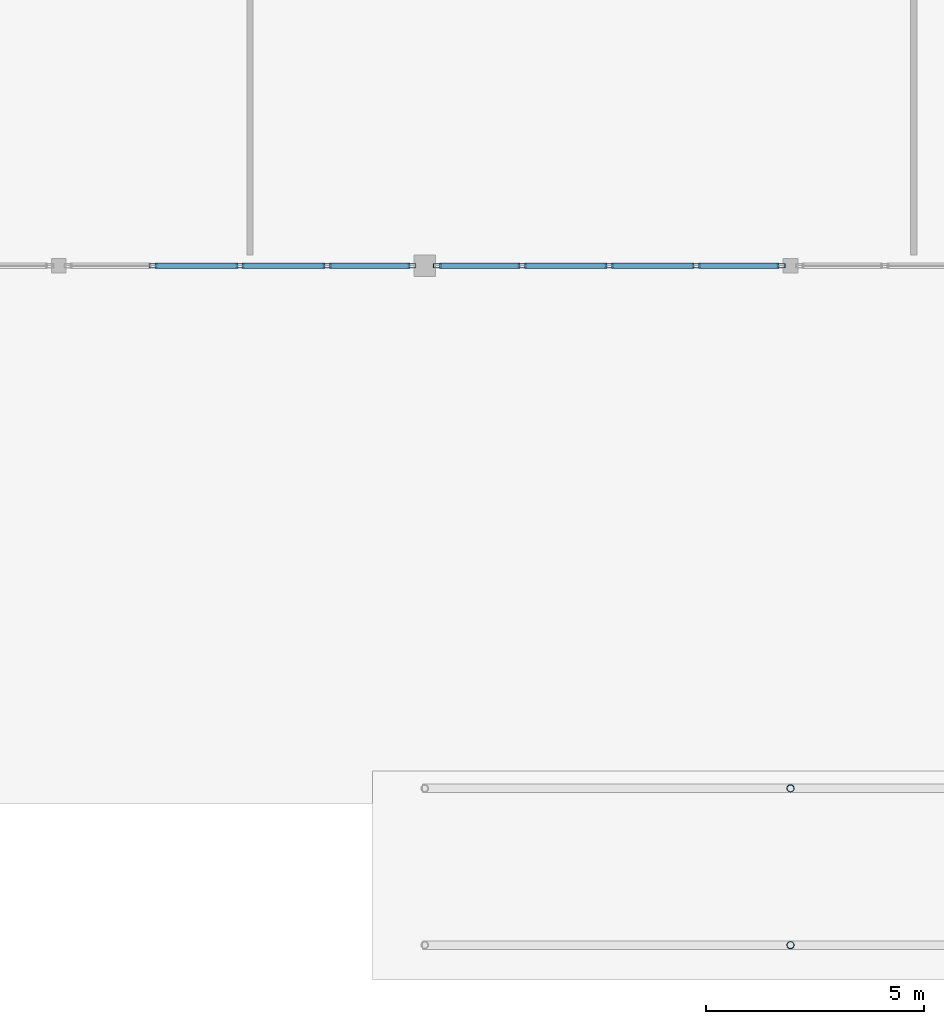
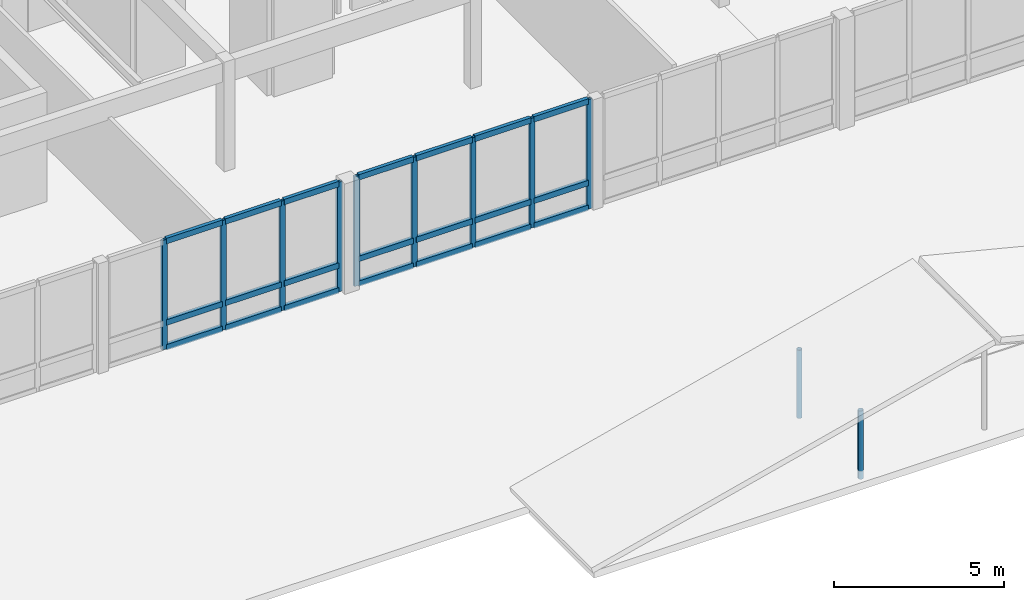
# One storey, part 40 of 217: 32 members, 2 elements without a shape of their own.
"""IFC4 building model written with IfcOpenShell, lengths in metres."""

from ifc_helpers import new_model, si_unit, direction, frame, origin, origin_2d, place, context, subcontext, project, spatial, hollow_rectangle, hollow_circle, extrude, material, layer, layer_set, material_profile, profile_set, type_object, element, aggregate, save


model = new_model("IFC4")

# Units and contexts
model_context = context("Model", 3, precision=1e-05, world=origin(), true_north=direction((0.0, 1.0)))
body_context = subcontext(model_context, "Body", "Model", "MODEL_VIEW")
ifc_project = project(units=[si_unit("LENGTHUNIT", "METRE"), si_unit("AREAUNIT", "SQUARE_METRE"), si_unit("VOLUMEUNIT", "CUBIC_METRE"), si_unit("PLANEANGLEUNIT", "RADIAN"), si_unit("MASSUNIT", "GRAM", prefix="KILO")], contexts=[model_context])

# Site, building, storey
site_placement = place(None, origin())
site = spatial("IfcSite", under=ifc_project, at=site_placement, CompositionType="ELEMENT")
building_placement = place(site_placement, origin())
building = spatial("IfcBuilding", under=site, at=building_placement, Name="Mazaris Harbour Polytechnic", CompositionType="ELEMENT")
storey_placement = place(building_placement, frame((0.0, 0.0, 9.60009765625)))
storey = spatial("IfcBuildingStorey", under=building, at=storey_placement, Name="L02", CompositionType="ELEMENT", Elevation=9.60009765625)

# Curtain wall, members
ifc_material_1 = material(Name="Anodised Bronze Aluminium and Low-E Glass", Category="aluminium")
ifc_layer = layer(ifc_material_1, 0.179931640625, Name="Anodised Bronze Aluminium and Low-E Glass")
ifc_layer_set = layer_set([ifc_layer], Name="Anodised Bronze Aluminium and Low-E Glass")
curtain_wall_type = type_object("IfcCurtainWallType", Name="Harbour Colonnade Curtain Wall", PredefinedType="NOTDEFINED", material=ifc_layer_set)
curtain_wall_1_placement = place(storey_placement, origin())
curtain_wall_1 = element("IfcCurtainWall", 1, at=curtain_wall_1_placement, inside=storey, type_object=curtain_wall_type, Name="V3 L02 Curtain Wall 80", PredefinedType="NOTDEFINED")
ifc_material_2 = material(Name="Anodised Bronze Steel S355", Category="steel")
ifc_material_profile_1 = material_profile(ifc_material_2, hollow_rectangle(XDim=0.10009765625, YDim=0.179931640625, WallThickness=0.008056640625, at=origin_2d()), Name="RHS 100x180x8.0")
ifc_profile_set_1 = profile_set([ifc_material_profile_1], Name="Anodised Bronze Steel S355")
member_type_1 = type_object("IfcMemberType", Name="Curtain Mullion RHS100x180", PredefinedType="MULLION", material=ifc_profile_set_1)
member_1_placement = place(storey_placement, frame((70.508056640625, 14.39990234375, 0.0), z_axis=(0.0, 0.0, 1.0), x_axis=(0.0, -1.0, 0.0)))
member_1 = element("IfcMember", 2, at=member_1_placement, type_object=member_type_1, Name="CW-01 mullion 1", PredefinedType="MULLION", context=body_context, shape_type="SweptSolid", body=[
    extrude(hollow_rectangle(XDim=0.10009765625, YDim=0.179931640625, WallThickness=0.008056640625, at=origin_2d()), origin(), (0.0, 0.0, 1.0), 3.934814453125),
])
member_2_placement = place(storey_placement, frame((68.55908203125, 14.39990234375, 0.0), z_axis=(0.0, 0.0, 1.0), x_axis=(0.0, -1.0, 0.0)))
member_2 = element("IfcMember", 3, at=member_2_placement, type_object=member_type_1, Name="CW-01 mullion 2", PredefinedType="MULLION", context=body_context, shape_type="SweptSolid", body=[
    extrude(hollow_rectangle(XDim=0.10009765625, YDim=0.179931640625, WallThickness=0.008056640625, at=origin_2d()), origin(), (0.0, 0.0, 1.0), 3.934814453125),
])
member_3_placement = place(storey_placement, frame((66.56005859375, 14.39990234375, 0.0), z_axis=(0.0, 0.0, 1.0), x_axis=(0.0, -1.0, 0.0)))
member_3 = element("IfcMember", 4, at=member_3_placement, type_object=member_type_1, Name="CW-01 mullion 3", PredefinedType="MULLION", context=body_context, shape_type="SweptSolid", body=[
    extrude(hollow_rectangle(XDim=0.10009765625, YDim=0.179931640625, WallThickness=0.008056640625, at=origin_2d()), origin(), (0.0, 0.0, 1.0), 3.934814453125),
])
member_4_placement = place(storey_placement, frame((64.56103515625, 14.39990234375, 0.0), z_axis=(0.0, 0.0, 1.0), x_axis=(0.0, -1.0, 0.0)))
member_4 = element("IfcMember", 5, at=member_4_placement, type_object=member_type_1, Name="CW-01 mullion 4", PredefinedType="MULLION", context=body_context, shape_type="SweptSolid", body=[
    extrude(hollow_rectangle(XDim=0.10009765625, YDim=0.179931640625, WallThickness=0.008056640625, at=origin_2d()), origin(), (0.0, 0.0, 1.0), 3.934814453125),
])

curtain_wall_2_placement = place(storey_placement, origin())
curtain_wall_2 = element("IfcCurtainWall", 6, at=curtain_wall_2_placement, inside=storey, type_object=curtain_wall_type, Name="V3 L02 Curtain Wall 81", PredefinedType="NOTDEFINED")
member_5_placement = place(storey_placement, frame((78.988037109375, 14.39990234375, 0.0), z_axis=(0.0, 0.0, 1.0), x_axis=(0.0, -1.0, 0.0)))
member_5 = element("IfcMember", 7, at=member_5_placement, type_object=member_type_1, Name="CW-01 mullion 1", PredefinedType="MULLION", context=body_context, shape_type="SweptSolid", body=[
    extrude(hollow_rectangle(XDim=0.10009765625, YDim=0.179931640625, WallThickness=0.008056640625, at=origin_2d()), origin(), (0.0, 0.0, 1.0), 3.934814453125),
])
member_6_placement = place(storey_placement, frame((77.0390625, 14.39990234375, 0.0), z_axis=(0.0, 0.0, 1.0), x_axis=(0.0, -1.0, 0.0)))
member_6 = element("IfcMember", 8, at=member_6_placement, type_object=member_type_1, Name="CW-01 mullion 2", PredefinedType="MULLION", context=body_context, shape_type="SweptSolid", body=[
    extrude(hollow_rectangle(XDim=0.10009765625, YDim=0.179931640625, WallThickness=0.008056640625, at=origin_2d()), origin(), (0.0, 0.0, 1.0), 3.934814453125),
])
member_7_placement = place(storey_placement, frame((75.0400390625, 14.39990234375, 0.0), z_axis=(0.0, 0.0, 1.0), x_axis=(0.0, -1.0, 0.0)))
member_7 = element("IfcMember", 9, at=member_7_placement, type_object=member_type_1, Name="CW-01 mullion 3", PredefinedType="MULLION", context=body_context, shape_type="SweptSolid", body=[
    extrude(hollow_rectangle(XDim=0.10009765625, YDim=0.179931640625, WallThickness=0.008056640625, at=origin_2d()), origin(), (0.0, 0.0, 1.0), 3.934814453125),
])
member_8_placement = place(storey_placement, frame((73.041015625, 14.39990234375, 0.0), z_axis=(0.0, 0.0, 1.0), x_axis=(0.0, -1.0, 0.0)))
member_8 = element("IfcMember", 10, at=member_8_placement, type_object=member_type_1, Name="CW-01 mullion 4", PredefinedType="MULLION", context=body_context, shape_type="SweptSolid", body=[
    extrude(hollow_rectangle(XDim=0.10009765625, YDim=0.179931640625, WallThickness=0.008056640625, at=origin_2d()), origin(), (0.0, 0.0, 1.0), 3.934814453125),
])
member_9_placement = place(storey_placement, frame((71.092041015625, 14.39990234375, 0.0), z_axis=(0.0, 0.0, 1.0), x_axis=(0.0, -1.0, 0.0)))
member_9 = element("IfcMember", 11, at=member_9_placement, type_object=member_type_1, Name="CW-01 mullion 5", PredefinedType="MULLION", context=body_context, shape_type="SweptSolid", body=[
    extrude(hollow_rectangle(XDim=0.10009765625, YDim=0.179931640625, WallThickness=0.008056640625, at=origin_2d()), origin(), (0.0, 0.0, 1.0), 3.934814453125),
])

# Member
ifc_material_3 = material(Name="Anodised Bronze Steel S355", Category="steel")
ifc_material_profile_2 = material_profile(ifc_material_3, hollow_rectangle(XDim=0.1201171875, YDim=0.199951171875, WallThickness=0.008056640625, at=origin_2d()), Name="RHS 120x200x8.0")
ifc_profile_set_2 = profile_set([ifc_material_profile_2], Name="Anodised Bronze Steel S355")
member_type_2 = type_object("IfcMemberType", Name="Curtain Transom RHS120x200", PredefinedType="USERDEFINED", material=ifc_profile_set_2)
member_10_placement = place(storey_placement, frame((70.4580078125, 14.39990234375, 0.059814453125), z_axis=(-1.0, 0.0, 0.0), x_axis=(0.0, -1.0, 0.0)))
member_10 = element("IfcMember", 12, at=member_10_placement, type_object=member_type_2, Name="CW-01 transom 1.1", ObjectType="TRANSOM", PredefinedType="USERDEFINED", context=body_context, shape_type="SweptSolid", body=[
    extrude(hollow_rectangle(XDim=0.1201171875, YDim=0.199951171875, WallThickness=0.008056640625, at=origin_2d()), origin(), (0.0, 0.0, 1.0), 1.84912109375),
])

member_11_placement = place(storey_placement, frame((70.4580078125, 14.39990234375, 0.949951171875), z_axis=(-1.0, 0.0, 0.0), x_axis=(0.0, -1.0, 0.0)))
member_11 = element("IfcMember", 13, at=member_11_placement, type_object=member_type_2, Name="CW-01 transom 1.2", ObjectType="TRANSOM", PredefinedType="USERDEFINED", context=body_context, shape_type="SweptSolid", body=[
    extrude(hollow_rectangle(XDim=0.1201171875, YDim=0.199951171875, WallThickness=0.008056640625, at=origin_2d()), origin(), (0.0, 0.0, 1.0), 1.84912109375),
])

member_12_placement = place(storey_placement, frame((70.4580078125, 14.39990234375, 3.875), z_axis=(-1.0, 0.0, 0.0), x_axis=(0.0, -1.0, 0.0)))
member_12 = element("IfcMember", 14, at=member_12_placement, type_object=member_type_2, Name="CW-01 transom 1.3", ObjectType="TRANSOM", PredefinedType="USERDEFINED", context=body_context, shape_type="SweptSolid", body=[
    extrude(hollow_rectangle(XDim=0.1201171875, YDim=0.199951171875, WallThickness=0.008056640625, at=origin_2d()), origin(), (0.0, 0.0, 1.0), 1.84912109375),
])

member_13_placement = place(storey_placement, frame((68.509033203125, 14.39990234375, 0.059814453125), z_axis=(-1.0, 0.0, 0.0), x_axis=(0.0, -1.0, 0.0)))
member_13 = element("IfcMember", 15, at=member_13_placement, type_object=member_type_2, Name="CW-01 transom 2.1", ObjectType="TRANSOM", PredefinedType="USERDEFINED", context=body_context, shape_type="SweptSolid", body=[
    extrude(hollow_rectangle(XDim=0.1201171875, YDim=0.199951171875, WallThickness=0.008056640625, at=origin_2d()), origin(), (0.0, 0.0, 1.0), 1.89892578125),
])

member_14_placement = place(storey_placement, frame((68.509033203125, 14.39990234375, 0.949951171875), z_axis=(-1.0, 0.0, 0.0), x_axis=(0.0, -1.0, 0.0)))
member_14 = element("IfcMember", 16, at=member_14_placement, type_object=member_type_2, Name="CW-01 transom 2.2", ObjectType="TRANSOM", PredefinedType="USERDEFINED", context=body_context, shape_type="SweptSolid", body=[
    extrude(hollow_rectangle(XDim=0.1201171875, YDim=0.199951171875, WallThickness=0.008056640625, at=origin_2d()), origin(), (0.0, 0.0, 1.0), 1.89892578125),
])

member_15_placement = place(storey_placement, frame((68.509033203125, 14.39990234375, 3.875), z_axis=(-1.0, 0.0, 0.0), x_axis=(0.0, -1.0, 0.0)))
member_15 = element("IfcMember", 17, at=member_15_placement, type_object=member_type_2, Name="CW-01 transom 2.3", ObjectType="TRANSOM", PredefinedType="USERDEFINED", context=body_context, shape_type="SweptSolid", body=[
    extrude(hollow_rectangle(XDim=0.1201171875, YDim=0.199951171875, WallThickness=0.008056640625, at=origin_2d()), origin(), (0.0, 0.0, 1.0), 1.89892578125),
])

member_16_placement = place(storey_placement, frame((66.510009765625, 14.39990234375, 0.059814453125), z_axis=(-1.0, 0.0, 0.0), x_axis=(0.0, -1.0, 0.0)))
member_16 = element("IfcMember", 18, at=member_16_placement, type_object=member_type_2, Name="CW-01 transom 3.1", ObjectType="TRANSOM", PredefinedType="USERDEFINED", context=body_context, shape_type="SweptSolid", body=[
    extrude(hollow_rectangle(XDim=0.1201171875, YDim=0.199951171875, WallThickness=0.008056640625, at=origin_2d()), origin(), (0.0, 0.0, 1.0), 1.89892578125),
])

member_17_placement = place(storey_placement, frame((66.510009765625, 14.39990234375, 0.949951171875), z_axis=(-1.0, 0.0, 0.0), x_axis=(0.0, -1.0, 0.0)))
member_17 = element("IfcMember", 19, at=member_17_placement, type_object=member_type_2, Name="CW-01 transom 3.2", ObjectType="TRANSOM", PredefinedType="USERDEFINED", context=body_context, shape_type="SweptSolid", body=[
    extrude(hollow_rectangle(XDim=0.1201171875, YDim=0.199951171875, WallThickness=0.008056640625, at=origin_2d()), origin(), (0.0, 0.0, 1.0), 1.89892578125),
])

member_18_placement = place(storey_placement, frame((66.510009765625, 14.39990234375, 3.875), z_axis=(-1.0, 0.0, 0.0), x_axis=(0.0, -1.0, 0.0)))
member_18 = element("IfcMember", 20, at=member_18_placement, type_object=member_type_2, Name="CW-01 transom 3.3", ObjectType="TRANSOM", PredefinedType="USERDEFINED", context=body_context, shape_type="SweptSolid", body=[
    extrude(hollow_rectangle(XDim=0.1201171875, YDim=0.199951171875, WallThickness=0.008056640625, at=origin_2d()), origin(), (0.0, 0.0, 1.0), 1.89892578125),
])

aggregate(curtain_wall_1, [member_1, member_2, member_3, member_4, member_10, member_11, member_12, member_13, member_14, member_15, member_16, member_17, member_18])

member_19_placement = place(storey_placement, frame((78.93798828125, 14.39990234375, 0.059814453125), z_axis=(-1.0, 0.0, 0.0), x_axis=(0.0, -1.0, 0.0)))
member_19 = element("IfcMember", 21, at=member_19_placement, type_object=member_type_2, Name="CW-01 transom 1.1", ObjectType="TRANSOM", PredefinedType="USERDEFINED", context=body_context, shape_type="SweptSolid", body=[
    extrude(hollow_rectangle(XDim=0.1201171875, YDim=0.199951171875, WallThickness=0.008056640625, at=origin_2d()), origin(), (0.0, 0.0, 1.0), 1.848876953125),
])

member_20_placement = place(storey_placement, frame((78.93798828125, 14.39990234375, 0.949951171875), z_axis=(-1.0, 0.0, 0.0), x_axis=(0.0, -1.0, 0.0)))
member_20 = element("IfcMember", 22, at=member_20_placement, type_object=member_type_2, Name="CW-01 transom 1.2", ObjectType="TRANSOM", PredefinedType="USERDEFINED", context=body_context, shape_type="SweptSolid", body=[
    extrude(hollow_rectangle(XDim=0.1201171875, YDim=0.199951171875, WallThickness=0.008056640625, at=origin_2d()), origin(), (0.0, 0.0, 1.0), 1.848876953125),
])

member_21_placement = place(storey_placement, frame((78.93798828125, 14.39990234375, 3.875), z_axis=(-1.0, 0.0, 0.0), x_axis=(0.0, -1.0, 0.0)))
member_21 = element("IfcMember", 23, at=member_21_placement, type_object=member_type_2, Name="CW-01 transom 1.3", ObjectType="TRANSOM", PredefinedType="USERDEFINED", context=body_context, shape_type="SweptSolid", body=[
    extrude(hollow_rectangle(XDim=0.1201171875, YDim=0.199951171875, WallThickness=0.008056640625, at=origin_2d()), origin(), (0.0, 0.0, 1.0), 1.848876953125),
])

member_22_placement = place(storey_placement, frame((76.989013671875, 14.39990234375, 0.059814453125), z_axis=(-1.0, 0.0, 0.0), x_axis=(0.0, -1.0, 0.0)))
member_22 = element("IfcMember", 24, at=member_22_placement, type_object=member_type_2, Name="CW-01 transom 2.1", ObjectType="TRANSOM", PredefinedType="USERDEFINED", context=body_context, shape_type="SweptSolid", body=[
    extrude(hollow_rectangle(XDim=0.1201171875, YDim=0.199951171875, WallThickness=0.008056640625, at=origin_2d()), origin(), (0.0, 0.0, 1.0), 1.89892578125),
])

member_23_placement = place(storey_placement, frame((76.989013671875, 14.39990234375, 0.949951171875), z_axis=(-1.0, 0.0, 0.0), x_axis=(0.0, -1.0, 0.0)))
member_23 = element("IfcMember", 25, at=member_23_placement, type_object=member_type_2, Name="CW-01 transom 2.2", ObjectType="TRANSOM", PredefinedType="USERDEFINED", context=body_context, shape_type="SweptSolid", body=[
    extrude(hollow_rectangle(XDim=0.1201171875, YDim=0.199951171875, WallThickness=0.008056640625, at=origin_2d()), origin(), (0.0, 0.0, 1.0), 1.89892578125),
])

member_24_placement = place(storey_placement, frame((76.989013671875, 14.39990234375, 3.875), z_axis=(-1.0, 0.0, 0.0), x_axis=(0.0, -1.0, 0.0)))
member_24 = element("IfcMember", 26, at=member_24_placement, type_object=member_type_2, Name="CW-01 transom 2.3", ObjectType="TRANSOM", PredefinedType="USERDEFINED", context=body_context, shape_type="SweptSolid", body=[
    extrude(hollow_rectangle(XDim=0.1201171875, YDim=0.199951171875, WallThickness=0.008056640625, at=origin_2d()), origin(), (0.0, 0.0, 1.0), 1.89892578125),
])

member_25_placement = place(storey_placement, frame((74.989990234375, 14.39990234375, 0.059814453125), z_axis=(-1.0, 0.0, 0.0), x_axis=(0.0, -1.0, 0.0)))
member_25 = element("IfcMember", 27, at=member_25_placement, type_object=member_type_2, Name="CW-01 transom 3.1", ObjectType="TRANSOM", PredefinedType="USERDEFINED", context=body_context, shape_type="SweptSolid", body=[
    extrude(hollow_rectangle(XDim=0.1201171875, YDim=0.199951171875, WallThickness=0.008056640625, at=origin_2d()), origin(), (0.0, 0.0, 1.0), 1.89892578125),
])

member_26_placement = place(storey_placement, frame((74.989990234375, 14.39990234375, 0.949951171875), z_axis=(-1.0, 0.0, 0.0), x_axis=(0.0, -1.0, 0.0)))
member_26 = element("IfcMember", 28, at=member_26_placement, type_object=member_type_2, Name="CW-01 transom 3.2", ObjectType="TRANSOM", PredefinedType="USERDEFINED", context=body_context, shape_type="SweptSolid", body=[
    extrude(hollow_rectangle(XDim=0.1201171875, YDim=0.199951171875, WallThickness=0.008056640625, at=origin_2d()), origin(), (0.0, 0.0, 1.0), 1.89892578125),
])

member_27_placement = place(storey_placement, frame((74.989990234375, 14.39990234375, 3.875), z_axis=(-1.0, 0.0, 0.0), x_axis=(0.0, -1.0, 0.0)))
member_27 = element("IfcMember", 29, at=member_27_placement, type_object=member_type_2, Name="CW-01 transom 3.3", ObjectType="TRANSOM", PredefinedType="USERDEFINED", context=body_context, shape_type="SweptSolid", body=[
    extrude(hollow_rectangle(XDim=0.1201171875, YDim=0.199951171875, WallThickness=0.008056640625, at=origin_2d()), origin(), (0.0, 0.0, 1.0), 1.89892578125),
])

member_28_placement = place(storey_placement, frame((72.990966796875, 14.39990234375, 0.059814453125), z_axis=(-1.0, 0.0, 0.0), x_axis=(0.0, -1.0, 0.0)))
member_28 = element("IfcMember", 30, at=member_28_placement, type_object=member_type_2, Name="CW-01 transom 4.1", ObjectType="TRANSOM", PredefinedType="USERDEFINED", context=body_context, shape_type="SweptSolid", body=[
    extrude(hollow_rectangle(XDim=0.1201171875, YDim=0.199951171875, WallThickness=0.008056640625, at=origin_2d()), origin(), (0.0, 0.0, 1.0), 1.848876953125),
])

member_29_placement = place(storey_placement, frame((72.990966796875, 14.39990234375, 0.949951171875), z_axis=(-1.0, 0.0, 0.0), x_axis=(0.0, -1.0, 0.0)))
member_29 = element("IfcMember", 31, at=member_29_placement, type_object=member_type_2, Name="CW-01 transom 4.2", ObjectType="TRANSOM", PredefinedType="USERDEFINED", context=body_context, shape_type="SweptSolid", body=[
    extrude(hollow_rectangle(XDim=0.1201171875, YDim=0.199951171875, WallThickness=0.008056640625, at=origin_2d()), origin(), (0.0, 0.0, 1.0), 1.848876953125),
])

member_30_placement = place(storey_placement, frame((72.990966796875, 14.39990234375, 3.875), z_axis=(-1.0, 0.0, 0.0), x_axis=(0.0, -1.0, 0.0)))
member_30 = element("IfcMember", 32, at=member_30_placement, type_object=member_type_2, Name="CW-01 transom 4.3", ObjectType="TRANSOM", PredefinedType="USERDEFINED", context=body_context, shape_type="SweptSolid", body=[
    extrude(hollow_rectangle(XDim=0.1201171875, YDim=0.199951171875, WallThickness=0.008056640625, at=origin_2d()), origin(), (0.0, 0.0, 1.0), 1.848876953125),
])

aggregate(curtain_wall_2, [member_5, member_6, member_7, member_8, member_9, member_19, member_20, member_21, member_22, member_23, member_24, member_25, member_26, member_27, member_28, member_29, member_30])

# Members
ifc_material_4 = material(Name="Steel S355", Category="steel")
ifc_material_profile_3 = material_profile(ifc_material_4, hollow_circle(Radius=0.084228515625, WallThickness=0.008056640625, at=origin_2d()), Name="CHS 168.3x8.0")
ifc_profile_set_3 = profile_set([ifc_material_profile_3], Name="Steel S355")
member_type_3 = type_object("IfcMemberType", Name="Steel Truss Strut CHS168 Exterior", PredefinedType="STRUT", material=ifc_profile_set_3)
for number, where, z_axis, x_axis, name in (
    (33, (79.199951171875, -1.199951171875, -0.300048828125), (0.0, 0.0, 1.0), (1.0, 0.0, 0.0), "Portico Pediment Queen Post 79.2"),
    (34, (79.199951171875, 2.39990234375, -0.300048828125), (0.0, 0.0, 1.0), (1.0, 0.0, 0.0), "Portico Pediment Queen Post 79.2"),
):
    element("IfcMember", number, at=place(storey_placement, frame(where, z_axis=z_axis, x_axis=x_axis)), inside=storey, type_object=member_type_3, Name=name, PredefinedType="STRUT", context=body_context, shape_type="SweptSolid", body=[
        extrude(hollow_circle(Radius=0.084228515625, WallThickness=0.008056640625, at=origin_2d()), origin(), (0.0, 0.0, 1.0), 2.449951171875),
    ])

save(model, "model.ifc")
